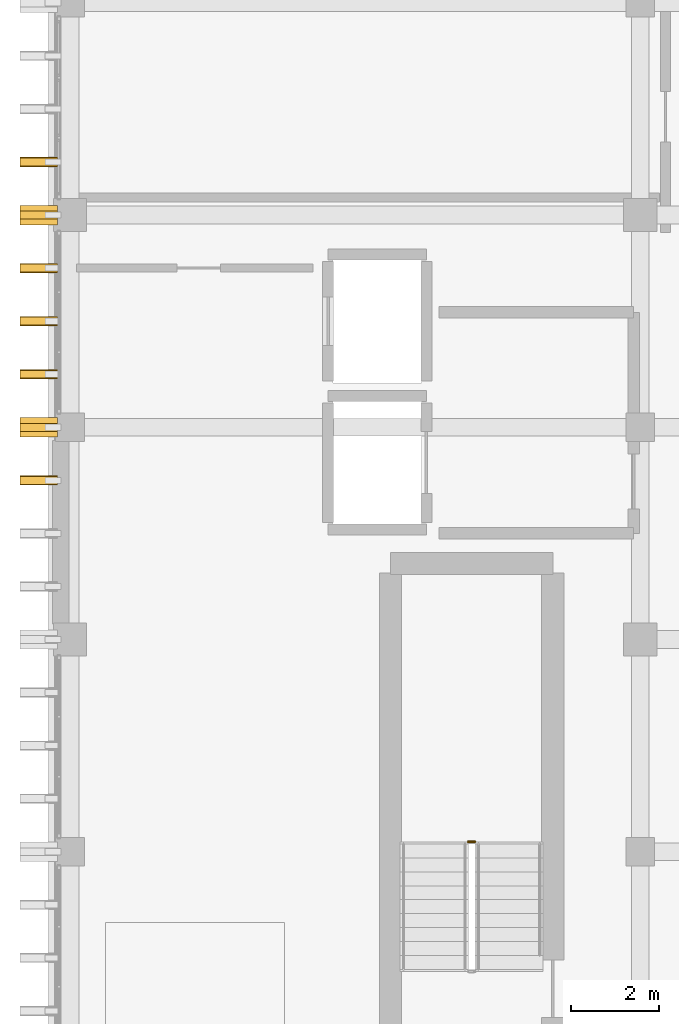
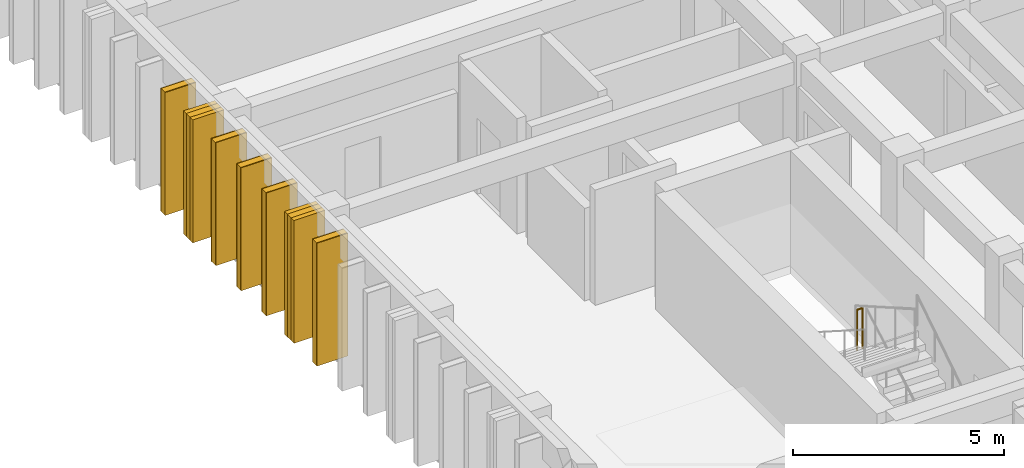
# One storey, part 61 of 64: 7 coverings, 7 shading devices, 1 railing.
"""IFC4 building model written with IfcOpenShell, lengths in metres."""

import ifcopenshell
import ifcopenshell.guid

model = None  # the IFC model being written
_history = None  # IfcOwnerHistory: only IFC2X3 demands one
_inside = {}  # id of a spatial element -> (the spatial element, [elements in it])
_under = {}  # id of a project, library or spatial element -> (it, [spatial elements below it])
_declared = {}  # id of a project -> (the project, [libraries it declares])
_typed = {}  # id of a type object -> (the type object, [elements of that type])
_made_of = {}  # id of a material, layer set ... -> (it, [elements and type objects made of it])


def new_model(schema):
    """Start an empty IFC model of exactly this schema.

    Asked for "IFC4X3", IfcOpenShell would pick the latest addendum, in which some entities
    have other attributes; the version numbers below select the first issue.
    IFC2X3 requires an IfcOwnerHistory on every rooted entity: one is made here for all.
    """
    global model, _history
    if schema == "IFC4X3":
        model = ifcopenshell.file(schema_version=(4, 3, 0, 0))
    else:
        model = ifcopenshell.file(schema=schema)
    _inside.clear()
    _under.clear()
    _declared.clear()
    _typed.clear()
    _made_of.clear()
    _history = None
    if model.schema == "IFC2X3":
        org = make("IfcOrganization", Name="unknown")
        user = make(
            "IfcPersonAndOrganization",
            ThePerson=make("IfcPerson", FamilyName="unknown"),
            TheOrganization=org,
        )
        app = make(
            "IfcApplication",
            ApplicationDeveloper=org,
            Version="unknown",
            ApplicationFullName="unknown",
            ApplicationIdentifier="unknown",
        )
        _history = make(
            "IfcOwnerHistory",
            OwningUser=user,
            OwningApplication=app,
            ChangeAction="ADDED",
            CreationDate=0,
        )
    return model


def make(cls, **values):
    """One entity of the class cls with the attributes given. An attribute that is None is left unset."""
    return model.create_entity(
        cls, **{name: value for name, value in values.items() if value is not None}
    )


def rooted(cls, **values):
    """An entity with a GlobalId (a new one), such as an element, a storey or a relation."""
    return make(cls, GlobalId=ifcopenshell.guid.new(), OwnerHistory=_history, **values)


def si_unit(unit_type, name, prefix=None):
    """IfcSIUnit, for example si_unit("LENGTHUNIT", "METRE", prefix="MILLI")."""
    return make("IfcSIUnit", UnitType=unit_type, Prefix=prefix, Name=name)


def assignment(units):
    """IfcUnitAssignment: the units of a project."""
    return None if units is None else make("IfcUnitAssignment", Units=units)


def point(xyz):
    """IfcCartesianPoint."""
    return None if xyz is None else make("IfcCartesianPoint", Coordinates=xyz)


def direction(xyz):
    """IfcDirection."""
    return None if xyz is None else make("IfcDirection", DirectionRatios=xyz)


def frame(location, z_axis=None, x_axis=None):
    """IfcAxis2Placement3D, a coordinate frame: its origin and axes. An axis left out is left unset."""
    return make(
        "IfcAxis2Placement3D",
        Location=point(location),
        Axis=direction(z_axis),
        RefDirection=direction(x_axis),
    )


def frame_2d(location, x_axis=None):
    """IfcAxis2Placement2D, a coordinate frame in the plane: its origin and x axis."""
    return make(
        "IfcAxis2Placement2D", Location=point(location), RefDirection=direction(x_axis)
    )


def origin():
    """The frame at (0, 0, 0) with its axes left unset."""
    return frame((0.0, 0.0, 0.0))


def origin_2d():
    """The frame at (0, 0) in the plane with its x axis left unset."""
    return frame_2d((0.0, 0.0))


def place(relative_to, where):
    """IfcLocalPlacement: puts the frame where relative to a parent placement (None: the world)."""
    return make(
        "IfcLocalPlacement", PlacementRelTo=relative_to, RelativePlacement=where
    )


def context(
    kind, dimensions, precision=None, world=None, true_north=None, identifier=None
):
    """IfcGeometricRepresentationContext, for example the 3D "Model" context."""
    return make(
        "IfcGeometricRepresentationContext",
        ContextIdentifier=identifier,
        ContextType=kind,
        CoordinateSpaceDimension=dimensions,
        Precision=precision,
        WorldCoordinateSystem=world,
        TrueNorth=true_north,
    )


def subcontext(parent, identifier, kind, view, scale=None):
    """IfcGeometricRepresentationSubContext, for example "Body" below "Model"."""
    return make(
        "IfcGeometricRepresentationSubContext",
        ContextIdentifier=identifier,
        ContextType=kind,
        ParentContext=parent,
        TargetScale=scale,
        TargetView=view,
    )


def project(units=None, contexts=None):
    """IfcProject with its units and contexts."""
    return rooted(
        "IfcProject",
        Name="project",
        RepresentationContexts=contexts,
        UnitsInContext=assignment(units),
    )


def spatial(cls, under=None, at=None, **own):
    """A site, building, storey or space (cls), placed at a placement, below another one or the project."""
    s = rooted(cls, ObjectPlacement=at, **own)
    if under is not None:
        _under.setdefault(under.id(), (under, []))[1].append(s)
    return s


def profile(cls, at=None, kind="AREA", **sizes):
    """A parametric profile (cls). Its sizes go by their IFC names, for example OverallWidth=200.0."""
    return make(cls, ProfileType=kind, Position=at, **sizes)


def rectangle(**sizes):
    """IfcRectangleProfileDef."""
    return profile("IfcRectangleProfileDef", **sizes)


def circle(**sizes):
    """IfcCircleProfileDef."""
    return profile("IfcCircleProfileDef", **sizes)


def extrude(swept, where, along, depth):
    """IfcExtrudedAreaSolid: the profile swept, set in the frame where, extruded along a direction by depth."""
    return make(
        "IfcExtrudedAreaSolid",
        SweptArea=swept,
        Position=where,
        ExtrudedDirection=direction(along),
        Depth=depth,
    )


def shape(context_of_items, identifier, shape_type, items):
    """IfcShapeRepresentation: the items that make up one representation, for example the "Body"."""
    return make(
        "IfcShapeRepresentation",
        ContextOfItems=context_of_items,
        RepresentationIdentifier=identifier,
        RepresentationType=shape_type,
        Items=items,
    )


def material(Name=None, Category=None):
    """IfcMaterial."""
    return make("IfcMaterial", Name=Name, Category=Category)


def layer(
    of_material, thickness, ventilated=None, Name=None, Category=None, Priority=None
):
    """IfcMaterialLayer: one layer of a wall or slab, of a material (None: an air gap)."""
    return make(
        "IfcMaterialLayer",
        Material=of_material,
        LayerThickness=thickness,
        IsVentilated=ventilated,
        Name=Name,
        Category=Category,
        Priority=Priority,
    )


def layer_set(layers, Name=None):
    """IfcMaterialLayerSet."""
    return make("IfcMaterialLayerSet", MaterialLayers=layers, LayerSetName=Name)


def made_of(thing, what):
    """Note that an element or type object is made of a material, layer set ...; save() writes the relation."""
    if what is not None:
        _made_of.setdefault(what.id(), (what, []))[1].append(thing)
    return thing


def type_object(cls, material=None, **own):
    """A type object (cls), such as IfcWallType, which elements share."""
    return made_of(rooted(cls, **own), material)


def element(
    cls,
    number,
    at=None,
    inside=None,
    cuts=None,
    type_object=None,
    material=None,
    context=None,
    identifier="Body",
    shape_type=None,
    held_by="IfcProductDefinitionShape",
    body=None,
    shapes=None,
    **own,
):
    """One element of the class cls, such as IfcWall. Its Tag is "e" and its number.

    at: its placement. inside: the storey or other place that contains it. cuts: it is an
    opening in that element (IfcRelVoidsElement). A single representation is given by context,
    identifier, shape_type and body (its items); several are given by shapes. held_by: the class
    of the entity that holds the representations. save() writes the other relations.
    """
    e = rooted(cls, Tag="e%d" % number, ObjectPlacement=at, **own)
    if body is not None:
        shapes = [shape(context, identifier, shape_type, body)]
    if shapes is not None:
        e.Representation = make(held_by, Representations=shapes)
    if inside is not None:
        _inside.setdefault(inside.id(), (inside, []))[1].append(e)
    if cuts is not None:
        rooted(
            "IfcRelVoidsElement", RelatingBuildingElement=cuts, RelatedOpeningElement=e
        )
    if type_object is not None:
        _typed.setdefault(type_object.id(), (type_object, []))[1].append(e)
    return made_of(e, material)


def aggregate(whole, parts):
    """IfcRelAggregates: a whole, such as a stair, and the parts it consists of."""
    return rooted("IfcRelAggregates", RelatingObject=whole, RelatedObjects=parts)


def save(model, path):
    """Write the relations noted so far, then the file.

    IfcRelAggregates (storeys below a building ...), IfcRelContainedInSpatialStructure (elements
    in a storey), IfcRelDefinesByType, IfcRelAssociatesMaterial and IfcRelDeclares: one each for
    every whole, place, type object, material and project.
    """
    for whole, parts in _under.values():
        aggregate(whole, parts)
    for where, things in _inside.values():
        rooted(
            "IfcRelContainedInSpatialStructure",
            RelatedElements=things,
            RelatingStructure=where,
        )
    for kind, things in _typed.values():
        rooted("IfcRelDefinesByType", RelatedObjects=things, RelatingType=kind)
    for what, things in _made_of.values():
        rooted("IfcRelAssociatesMaterial", RelatedObjects=things, RelatingMaterial=what)
    for by, libraries in _declared.values():
        rooted("IfcRelDeclares", RelatingContext=by, RelatedDefinitions=libraries)
    model.write(path)


model = new_model("IFC4")

# Units and contexts
model_context = context("Model", 3, precision=1e-05, world=origin(), true_north=direction((0.0, 1.0)))
body_context = subcontext(model_context, "Body", "Model", "MODEL_VIEW")
ifc_project = project(units=[si_unit("LENGTHUNIT", "METRE"), si_unit("AREAUNIT", "SQUARE_METRE"), si_unit("VOLUMEUNIT", "CUBIC_METRE"), si_unit("PLANEANGLEUNIT", "RADIAN"), si_unit("MASSUNIT", "GRAM", prefix="KILO")], contexts=[model_context])

# Site, building, storey
site_placement = place(None, origin())
site = spatial("IfcSite", under=ifc_project, at=site_placement, CompositionType="ELEMENT")
building_placement = place(site_placement, origin())
building = spatial("IfcBuilding", under=site, at=building_placement, Name="Nakhvara Creek Congress Hotel", CompositionType="ELEMENT")
storey_placement = place(building_placement, frame((0.0, 0.0, 28.199951171875)))
storey = spatial("IfcBuildingStorey", under=building, at=storey_placement, Name="L06", CompositionType="ELEMENT", Elevation=28.199951171875)

# Coverings
ifc_material_1 = material(Name="Honed pale Omani limestone architectural cladding", Category="masonry")
ifc_layer = layer(ifc_material_1, 0.219970703125)
ifc_layer_set = layer_set([ifc_layer], Name="Honed pale Omani limestone architectural cladding")
covering_type = type_object("IfcCoveringType", Name="COV-FIN-850", PredefinedType="CLADDING", material=ifc_layer_set)
covering_1_placement = place(storey_placement, frame((148.7451171875, 90.0, 0.0), z_axis=(0.0, 0.0, 1.0), x_axis=(0.0, 1.0, 0.0)))
element("IfcCovering", 1, at=covering_1_placement, inside=storey, type_object=covering_type, Name="Pale Limestone Fin Cladding CF01-1702", PredefinedType="CLADDING", context=body_context, shape_type="SweptSolid", body=[
    extrude(rectangle(XDim=0.219970703125, YDim=0.85009765625, at=origin_2d()), origin(), (0.0, 0.0, 1.0), 3.56005859375),
])
covering_2_placement = place(storey_placement, frame((148.7451171875, 91.199951171875, 0.0), z_axis=(0.0, 0.0, 1.0), x_axis=(0.0, 1.0, 0.0)))
element("IfcCovering", 2, at=covering_2_placement, inside=storey, type_object=covering_type, Name="Pale Limestone Fin Cladding CF01-1704", PredefinedType="CLADDING", context=body_context, shape_type="SweptSolid", body=[
    extrude(rectangle(XDim=0.43994140625, YDim=0.85009765625, at=origin_2d()), origin(), (0.0, 0.0, 1.0), 3.56005859375),
])
for number, where, z_axis, x_axis, name in (
    (3, (148.7451171875, 92.39990234375, 0.0), (0.0, 0.0, 1.0), (0.0, 1.0, 0.0), "Pale Limestone Fin Cladding CF01-1706"),
    (4, (148.7451171875, 93.60009765625, 0.0), (0.0, 0.0, 1.0), (0.0, 1.0, 0.0), "Pale Limestone Fin Cladding CF01-1707"),
    (5, (148.7451171875, 94.800048828125, 0.0), (0.0, 0.0, 1.0), (0.0, 1.0, 0.0), "Pale Limestone Fin Cladding CF01-1709"),
):
    element("IfcCovering", number, at=place(storey_placement, frame(where, z_axis=z_axis, x_axis=x_axis)), inside=storey, type_object=covering_type, Name=name, PredefinedType="CLADDING", context=body_context, shape_type="SweptSolid", body=[
        extrude(rectangle(XDim=0.219970703125, YDim=0.85009765625, at=origin_2d()), origin(), (0.0, 0.0, 1.0), 3.56005859375),
    ])
covering_3_placement = place(storey_placement, frame((148.7451171875, 96.0, 0.0), z_axis=(0.0, 0.0, 1.0), x_axis=(0.0, 1.0, 0.0)))
element("IfcCovering", 6, at=covering_3_placement, inside=storey, type_object=covering_type, Name="Pale Limestone Fin Cladding CF01-1711", PredefinedType="CLADDING", context=body_context, shape_type="SweptSolid", body=[
    extrude(rectangle(XDim=0.43994140625, YDim=0.85009765625, at=origin_2d()), origin(), (0.0, 0.0, 1.0), 3.56005859375),
])
covering_4_placement = place(storey_placement, frame((148.7451171875, 97.199951171875, 0.0), z_axis=(0.0, 0.0, 1.0), x_axis=(0.0, 1.0, 0.0)))
element("IfcCovering", 7, at=covering_4_placement, inside=storey, type_object=covering_type, Name="Pale Limestone Fin Cladding CF01-1713", PredefinedType="CLADDING", context=body_context, shape_type="SweptSolid", body=[
    extrude(rectangle(XDim=0.219970703125, YDim=0.85009765625, at=origin_2d()), origin(), (0.0, 0.0, 1.0), 3.56005859375),
])

# Railing
ifc_material_2 = material(Name="Brushed stainless steel 316L", Category="steel")
railing_type = type_object("IfcRailingType", Name="RL-GUARD-1200", PredefinedType="GUARDRAIL", material=ifc_material_2)
railing_placement = place(storey_placement, frame((158.610107421875, 81.824951171875, 1.800048828125)))
element("IfcRailing", 8, at=railing_placement, inside=storey, type_object=railing_type, Name="L06 ST01 stair guard 2", PredefinedType="GUARDRAIL", context=body_context, shape_type="SweptSolid", body=[
    extrude(circle(Radius=0.02392578125, at=origin_2d()), frame((-0.0146484375, 0.0, 1.17578125), z_axis=(-1.0, 0.0, 0.0), x_axis=(0.0, -1.0, 0.0)), (0.0, 0.0, 1.0), 0.120849609375),
    extrude(circle(Radius=0.02099609375, at=origin_2d()), origin(), (0.0, 0.0, 1.0), 1.1806640625),
    extrude(circle(Radius=0.02099609375, at=origin_2d()), frame((-0.150146484375, 0.0, 0.0)), (0.0, 0.0, 1.0), 1.1806640625),
])

# Shading devices
ifc_material_3 = material(Name="Honed pale Omani limestone cladding on stainless steel spine", Category="masonry")
shading_device_type = type_object("IfcShadingDeviceType", Name="SHD-FIN-850X3600", PredefinedType="USERDEFINED", material=ifc_material_3)
for number, where, z_axis, x_axis, name in (
    (9, (148.7451171875, 90.0, 0.0), (0.0, 0.0, 1.0), (0.0, 1.0, 0.0), "Limestone Solar Fin FN01-1567"),
    (10, (148.7451171875, 91.199951171875, 0.0), (0.0, 0.0, 1.0), (0.0, 1.0, 0.0), "Limestone Solar Fin FN01-1569"),
    (11, (148.7451171875, 92.39990234375, 0.0), (0.0, 0.0, 1.0), (0.0, 1.0, 0.0), "Limestone Solar Fin FN01-1571"),
    (12, (148.7451171875, 93.60009765625, 0.0), (0.0, 0.0, 1.0), (0.0, 1.0, 0.0), "Limestone Solar Fin FN01-1572"),
    (13, (148.7451171875, 94.800048828125, 0.0), (0.0, 0.0, 1.0), (0.0, 1.0, 0.0), "Limestone Solar Fin FN01-1574"),
    (14, (148.7451171875, 96.0, 0.0), (0.0, 0.0, 1.0), (0.0, 1.0, 0.0), "Limestone Solar Fin FN01-1576"),
    (15, (148.7451171875, 97.199951171875, 0.0), (0.0, 0.0, 1.0), (0.0, 1.0, 0.0), "Limestone Solar Fin FN01-1578"),
):
    element("IfcShadingDevice", number, at=place(storey_placement, frame(where, z_axis=z_axis, x_axis=x_axis)), inside=storey, type_object=shading_device_type, Name=name, ObjectType="FIN", PredefinedType="USERDEFINED", context=body_context, shape_type="SweptSolid", body=[
        extrude(rectangle(XDim=0.179931640625, YDim=0.85009765625, at=origin_2d()), origin(), (0.0, 0.0, 1.0), 3.56005859375),
    ])

save(model, "model.ifc")
